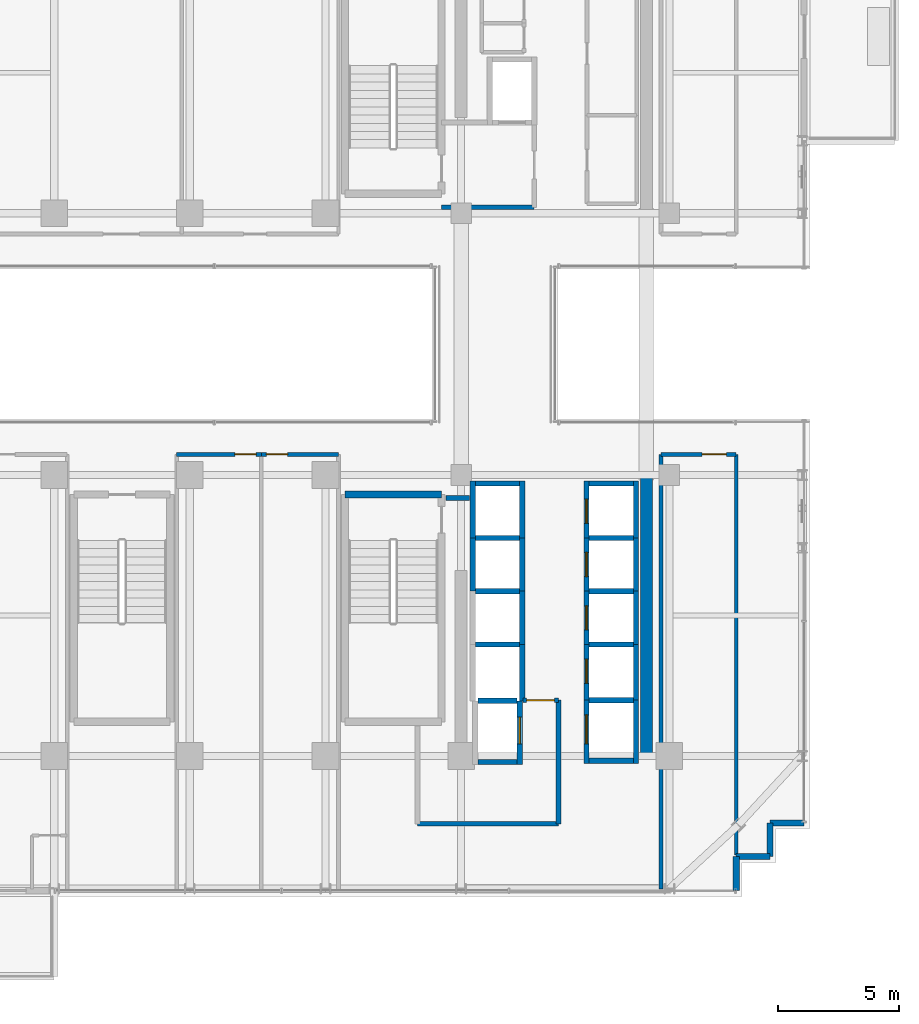
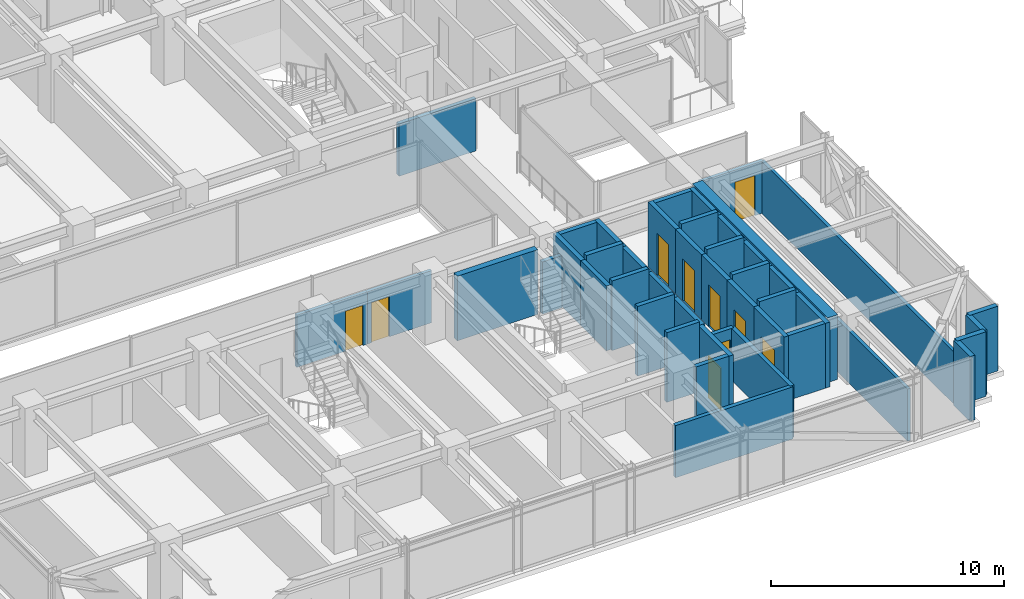
# One storey, part 32 of 38: 45 walls, 10 doors, 10 openings.
"""IFC4 building model written with IfcOpenShell, lengths in metres."""

from ifc_helpers import new_model, si_unit, direction, frame, frame_2d, origin, place, context, subcontext, project, spatial, rectangle, extrude, source, transform, mapped, material, layer, layer_set, type_object, element, fill, save


model = new_model("IFC4")

# Units and contexts
model_context = context("Model", 3, precision=1e-05, world=origin(), true_north=direction((0.0, 1.0)))
body_context = subcontext(model_context, "Body", "Model", "MODEL_VIEW")
ifc_project = project(units=[si_unit("LENGTHUNIT", "METRE"), si_unit("AREAUNIT", "SQUARE_METRE"), si_unit("VOLUMEUNIT", "CUBIC_METRE"), si_unit("PLANEANGLEUNIT", "RADIAN"), si_unit("MASSUNIT", "GRAM", prefix="KILO")], contexts=[model_context])

# Site, building, storey
site_placement = place(None, origin())
site = spatial("IfcSite", under=ifc_project, at=site_placement, CompositionType="ELEMENT")
building_placement = place(site_placement, origin())
building = spatial("IfcBuilding", under=site, at=building_placement, Name="Nahalor Promenade Grand Hotel", CompositionType="ELEMENT")
storey_placement = place(building_placement, frame((0.0, 0.0, 178.199951171875)))
storey = spatial("IfcBuildingStorey", under=building, at=storey_placement, Name="L45", CompositionType="ELEMENT", Elevation=178.199951171875)

# Walls
ifc_material_1 = material(Name="Concrete B-60 (C50/60)", Category="concrete")
ifc_layer_1 = layer(ifc_material_1, 0.5)
ifc_layer_set_1 = layer_set([ifc_layer_1], Name="Concrete B-60 (C50/60)")
wall_type_1 = type_object("IfcWallType", Name="Wall-CoreShear-500", PredefinedType="SHEAR", material=ifc_layer_set_1)
shared_shape_1 = source(origin(), body_context, "Body", "SweptSolid", [
    extrude(rectangle(XDim=11.60009765625, YDim=0.5, at=frame_2d((5.800048828125, 0.0))), origin(), (0.0, 0.0, 1.0), 3.39013671875),
])
wall_1_placement = place(storey_placement, frame((16.050048828125, -17.0, 0.0), z_axis=(0.0, 0.0, 1.0), x_axis=(0.0, 1.0, 0.0)))
element("IfcWall", 1, at=wall_1_placement, inside=storey, type_object=wall_type_1, Name="CWALL-L45-SE", PredefinedType="SHEAR", context=body_context, shape_type="MappedRepresentation", body=[
    mapped(shared_shape_1, transform((0.0, 0.0, 0.0), scale=1.0)),
])
ifc_material_2 = material(Name="Concrete B-50 (C40/50)", Category="concrete")
ifc_layer_2 = layer(ifc_material_2, 0.300048828125)
ifc_layer_set_2 = layer_set([ifc_layer_2], Name="Concrete B-50 (C40/50)")
wall_type_2 = type_object("IfcWallType", Name="Wall-ShaftShear-300", PredefinedType="SHEAR", material=ifc_layer_set_2)
shared_shape_2 = source(origin(), body_context, "Body", "SweptSolid", [
    extrude(rectangle(XDim=3.97998046875, YDim=0.300048828125, at=frame_2d((1.989990234375, 0.0))), origin(), (0.0, 0.0, 1.0), 3.39013671875),
])
wall_2_placement = place(storey_placement, frame((3.610107421875, -6.2099609375, 0.0), z_axis=(0.0, 0.0, 1.0), x_axis=(1.0, 0.0, 0.0)))
element("IfcWall", 2, at=wall_2_placement, inside=storey, type_object=wall_type_2, Name="L45 Exit Stair ST2 Shaft Wall N", PredefinedType="SHEAR", context=body_context, shape_type="MappedRepresentation", body=[
    mapped(shared_shape_2, transform((0.0, 0.0, 0.0), scale=1.0)),
])
ifc_layer_3 = layer(ifc_material_2, 0.219970703125)
ifc_layer_set_3 = layer_set([ifc_layer_3], Name="Concrete B-50 (C40/50)")
wall_type_3 = type_object("IfcWallType", Name="Wall-LiftShaft-220", PredefinedType="SHEAR", material=ifc_layer_set_3)
shared_shape_3 = source(origin(), body_context, "Body", "SweptSolid", [
    extrude(rectangle(XDim=1.820068359375, YDim=0.219970703125, at=frame_2d((0.91015625, 0.0))), origin(), (0.0, 0.0, 1.0), 3.650146484375),
])
for number, where, z_axis, x_axis, name in (
    (3, (13.68994140625, -8.0, 0.0), (0.0, 0.0, 1.0), (1.0, 0.0, 0.0), "L45 Lift PL6 Hoistway Wall N"),
    (4, (13.68994140625, -10.199951171875, 0.0), (0.0, 0.0, 1.0), (1.0, 0.0, 0.0), "L45 Lift PL7 Hoistway Wall N"),
    (5, (13.68994140625, -12.39990234375, 0.0), (0.0, 0.0, 1.0), (1.0, 0.0, 0.0), "L45 Lift PL8 Hoistway Wall N"),
    (6, (8.989990234375, -8.0, 0.0), (0.0, 0.0, 1.0), (1.0, 0.0, 0.0), "L45 Lift PL10 Hoistway Wall N"),
    (7, (8.989990234375, -10.199951171875, 0.0), (0.0, 0.0, 1.0), (1.0, 0.0, 0.0), "L45 Lift PL11 Hoistway Wall N"),
    (8, (8.989990234375, -12.39990234375, 0.0), (0.0, 0.0, 1.0), (1.0, 0.0, 0.0), "L45 Lift PL12 Hoistway Wall N"),
    (9, (13.68994140625, -14.699951171875, 0.0), (0.0, 0.0, 1.0), (1.0, 0.0, 0.0), "L45 Lift SV2 Hoistway Wall N"),
):
    element("IfcWall", number, at=place(storey_placement, frame(where, z_axis=z_axis, x_axis=x_axis)), inside=storey, type_object=wall_type_3, Name=name, PredefinedType="SHEAR", context=body_context, shape_type="MappedRepresentation", body=[
        mapped(shared_shape_3, transform((0.0, 0.0, 0.0), scale=1.0)),
    ])

# Wall, opening, door
shared_shape_4 = source(origin(), body_context, "Body", "SweptSolid", [
    extrude(rectangle(XDim=2.360107421875, YDim=0.219970703125, at=frame_2d((1.18017578125, 0.0))), origin(), (0.0, 0.0, 1.0), 3.39013671875),
])
wall_3_placement = place(storey_placement, frame((13.580078125, -8.0, 0.0), z_axis=(0.0, 0.0, 1.0), x_axis=(0.0, 1.0, 0.0)))
wall_3 = element("IfcWall", 10, at=wall_3_placement, inside=storey, type_object=wall_type_3, Name="L45 Lift PL5 Hoistway Wall W", PredefinedType="SHEAR", context=body_context, shape_type="MappedRepresentation", body=[
    mapped(shared_shape_4, transform((0.0, 0.0, 0.0), scale=1.0)),
])
opening_1_placement = place(wall_3_placement, frame((0.60009765625, 0.0, 0.0)))
opening_1 = element("IfcOpeningElement", 11, at=opening_1_placement, cuts=wall_3, Name="Opening LD-01", PredefinedType="OPENING", context=body_context, shape_type="SweptSolid", body=[
    extrude(rectangle(XDim=1.0, YDim=2.199951171875, at=frame_2d((0.5, 1.10009765625))), frame((0.0, 0.119873046875, 0.0), z_axis=(0.0, -1.0, 0.0), x_axis=(1.0, 0.0, 0.0)), (0.0, 0.0, 1.0), 0.239990234375),
])
ifc_material_3 = material(Name="Steel S355JR", Category="steel")
door_type_1 = type_object("IfcDoorType", Name="Door-LiftLanding-1000", OperationType="DOUBLE_DOOR_SLIDING", PredefinedType="DOOR", material=ifc_material_3)
shared_shape_5 = source(origin(), body_context, "Body", "SweptSolid", [
    extrude(rectangle(XDim=1.0, YDim=2.199951171875, at=frame_2d((0.5, 1.10009765625))), frame((0.0, 0.02490234375, 0.0), z_axis=(0.0, -1.0, 0.0), x_axis=(1.0, 0.0, 0.0)), (0.0, 0.0, 1.0), 0.050048828125),
])
door_1_placement = place(opening_1_placement, origin())
door_1 = element("IfcDoor", 12, at=door_1_placement, inside=storey, type_object=door_type_1, Name="DR-LIFT-PL5-L45", OperationType="DOUBLE_DOOR_SLIDING", OverallHeight=2.199951171875, OverallWidth=1.0, PredefinedType="DOOR", context=body_context, shape_type="MappedRepresentation", body=[
    mapped(shared_shape_5, transform((0.0, 0.0, 0.0), scale=1.0)),
])
fill(opening_1, door_1)

# Walls
for number, where, z_axis, x_axis, name in (
    (13, (15.6201171875, -8.0, 0.0), (0.0, 0.0, 1.0), (0.0, 1.0, 0.0), "L45 Lift PL5 Hoistway Wall E"),
    (14, (8.8798828125, -8.0, 0.0), (0.0, 0.0, 1.0), (0.0, 1.0, 0.0), "L45 Lift PL9 Hoistway Wall W"),
    (15, (10.919921875, -8.0, 0.0), (0.0, 0.0, 1.0), (0.0, 1.0, 0.0), "L45 Lift PL9 Hoistway Wall E"),
):
    element("IfcWall", number, at=place(storey_placement, frame(where, z_axis=z_axis, x_axis=x_axis)), inside=storey, type_object=wall_type_3, Name=name, PredefinedType="SHEAR", context=body_context, shape_type="MappedRepresentation", body=[
        mapped(shared_shape_4, transform((0.0, 0.0, 0.0), scale=1.0)),
    ])
shared_shape_6 = source(origin(), body_context, "Body", "SweptSolid", [
    extrude(rectangle(XDim=1.820068359375, YDim=0.219970703125, at=frame_2d((0.91015625, 0.0))), origin(), (0.0, 0.0, 1.0), 3.39013671875),
])
for number, where, z_axis, x_axis, name in (
    (16, (13.68994140625, -5.75, 0.0), (0.0, 0.0, 1.0), (1.0, 0.0, 0.0), "L45 Lift PL5 Hoistway Wall N"),
    (17, (8.989990234375, -5.75, 0.0), (0.0, 0.0, 1.0), (1.0, 0.0, 0.0), "L45 Lift PL9 Hoistway Wall N"),
    (18, (13.68994140625, -17.199951171875, 0.0), (0.0, 0.0, 1.0), (1.0, 0.0, 0.0), "L45 Lift SV2 Hoistway Wall S"),
):
    element("IfcWall", number, at=place(storey_placement, frame(where, z_axis=z_axis, x_axis=x_axis)), inside=storey, type_object=wall_type_3, Name=name, PredefinedType="SHEAR", context=body_context, shape_type="MappedRepresentation", body=[
        mapped(shared_shape_6, transform((0.0, 0.0, 0.0), scale=1.0)),
    ])

# Wall, opening, door
shared_shape_7 = source(origin(), body_context, "Body", "SweptSolid", [
    extrude(rectangle(XDim=2.199951171875, YDim=0.219970703125, at=frame_2d((1.10009765625, 0.0))), origin(), (0.0, 0.0, 1.0), 3.39013671875),
])
wall_4_placement = place(storey_placement, frame((13.580078125, -10.199951171875, 0.0), z_axis=(0.0, 0.0, 1.0), x_axis=(0.0, 1.0, 0.0)))
wall_4 = element("IfcWall", 19, at=wall_4_placement, inside=storey, type_object=wall_type_3, Name="L45 Lift PL6 Hoistway Wall W", PredefinedType="SHEAR", context=body_context, shape_type="MappedRepresentation", body=[
    mapped(shared_shape_7, transform((0.0, 0.0, 0.0), scale=1.0)),
])
opening_2_placement = place(wall_4_placement, frame((0.60009765625, 0.0, 0.0)))
opening_2 = element("IfcOpeningElement", 20, at=opening_2_placement, cuts=wall_4, Name="Opening LD-01", PredefinedType="OPENING", context=body_context, shape_type="SweptSolid", body=[
    extrude(rectangle(XDim=1.0, YDim=2.199951171875, at=frame_2d((0.5, 1.10009765625))), frame((0.0, 0.119873046875, 0.0), z_axis=(0.0, -1.0, 0.0), x_axis=(1.0, 0.0, 0.0)), (0.0, 0.0, 1.0), 0.239990234375),
])
door_2_placement = place(opening_2_placement, origin())
door_2 = element("IfcDoor", 21, at=door_2_placement, inside=storey, type_object=door_type_1, Name="DR-LIFT-PL6-L45", OperationType="DOUBLE_DOOR_SLIDING", OverallHeight=2.199951171875, OverallWidth=1.0, PredefinedType="DOOR", context=body_context, shape_type="MappedRepresentation", body=[
    mapped(shared_shape_5, transform((0.0, 0.0, 0.0), scale=1.0)),
])
fill(opening_2, door_2)

# Wall
wall_5_placement = place(storey_placement, frame((15.6201171875, -10.199951171875, 0.0), z_axis=(0.0, 0.0, 1.0), x_axis=(0.0, 1.0, 0.0)))
element("IfcWall", 22, at=wall_5_placement, inside=storey, type_object=wall_type_3, Name="L45 Lift PL6 Hoistway Wall E", PredefinedType="SHEAR", context=body_context, shape_type="MappedRepresentation", body=[
    mapped(shared_shape_7, transform((0.0, 0.0, 0.0), scale=1.0)),
])

# Wall, opening, door
wall_6_placement = place(storey_placement, frame((13.580078125, -12.39990234375, 0.0), z_axis=(0.0, 0.0, 1.0), x_axis=(0.0, 1.0, 0.0)))
wall_6 = element("IfcWall", 23, at=wall_6_placement, inside=storey, type_object=wall_type_3, Name="L45 Lift PL7 Hoistway Wall W", PredefinedType="SHEAR", context=body_context, shape_type="MappedRepresentation", body=[
    mapped(shared_shape_7, transform((0.0, 0.0, 0.0), scale=1.0)),
])
opening_3_placement = place(wall_6_placement, frame((0.60009765625, 0.0, 0.0)))
opening_3 = element("IfcOpeningElement", 24, at=opening_3_placement, cuts=wall_6, Name="Opening LD-01", PredefinedType="OPENING", context=body_context, shape_type="SweptSolid", body=[
    extrude(rectangle(XDim=1.0, YDim=2.199951171875, at=frame_2d((0.5, 1.10009765625))), frame((0.0, 0.119873046875, 0.0), z_axis=(0.0, -1.0, 0.0), x_axis=(1.0, 0.0, 0.0)), (0.0, 0.0, 1.0), 0.239990234375),
])
door_3_placement = place(opening_3_placement, origin())
door_3 = element("IfcDoor", 25, at=door_3_placement, inside=storey, type_object=door_type_1, Name="DR-LIFT-PL7-L45", OperationType="DOUBLE_DOOR_SLIDING", OverallHeight=2.199951171875, OverallWidth=1.0, PredefinedType="DOOR", context=body_context, shape_type="MappedRepresentation", body=[
    mapped(shared_shape_5, transform((0.0, 0.0, 0.0), scale=1.0)),
])
fill(opening_3, door_3)

# Walls
for number, where, z_axis, x_axis, name in (
    (26, (15.6201171875, -12.39990234375, 0.0), (0.0, 0.0, 1.0), (0.0, 1.0, 0.0), "L45 Lift PL7 Hoistway Wall E"),
    (27, (8.8798828125, -10.199951171875, 0.0), (0.0, 0.0, 1.0), (0.0, 1.0, 0.0), "L45 Lift PL10 Hoistway Wall W"),
    (28, (10.919921875, -10.199951171875, 0.0), (0.0, 0.0, 1.0), (0.0, 1.0, 0.0), "L45 Lift PL10 Hoistway Wall E"),
    (29, (10.919921875, -12.39990234375, 0.0), (0.0, 0.0, 1.0), (0.0, 1.0, 0.0), "L45 Lift PL11 Hoistway Wall E"),
):
    element("IfcWall", number, at=place(storey_placement, frame(where, z_axis=z_axis, x_axis=x_axis)), inside=storey, type_object=wall_type_3, Name=name, PredefinedType="SHEAR", context=body_context, shape_type="MappedRepresentation", body=[
        mapped(shared_shape_7, transform((0.0, 0.0, 0.0), scale=1.0)),
    ])

# Wall, opening, door
shared_shape_8 = source(origin(), body_context, "Body", "SweptSolid", [
    extrude(rectangle(XDim=2.300048828125, YDim=0.219970703125, at=frame_2d((1.14990234375, 0.0))), origin(), (0.0, 0.0, 1.0), 3.39013671875),
])
wall_7_placement = place(storey_placement, frame((13.580078125, -14.699951171875, 0.0), z_axis=(0.0, 0.0, 1.0), x_axis=(0.0, 1.0, 0.0)))
wall_7 = element("IfcWall", 30, at=wall_7_placement, inside=storey, type_object=wall_type_3, Name="L45 Lift PL8 Hoistway Wall W", PredefinedType="SHEAR", context=body_context, shape_type="MappedRepresentation", body=[
    mapped(shared_shape_8, transform((0.0, 0.0, 0.0), scale=1.0)),
])
opening_4_placement = place(wall_7_placement, frame((0.699951171875, 0.0, 0.0)))
opening_4 = element("IfcOpeningElement", 31, at=opening_4_placement, cuts=wall_7, Name="Opening LD-01", PredefinedType="OPENING", context=body_context, shape_type="SweptSolid", body=[
    extrude(rectangle(XDim=1.0, YDim=2.199951171875, at=frame_2d((0.5, 1.10009765625))), frame((0.0, 0.119873046875, 0.0), z_axis=(0.0, -1.0, 0.0), x_axis=(1.0, 0.0, 0.0)), (0.0, 0.0, 1.0), 0.239990234375),
])
door_4_placement = place(opening_4_placement, origin())
door_4 = element("IfcDoor", 32, at=door_4_placement, inside=storey, type_object=door_type_1, Name="DR-LIFT-PL8-L45", OperationType="DOUBLE_DOOR_SLIDING", OverallHeight=2.199951171875, OverallWidth=1.0, PredefinedType="DOOR", context=body_context, shape_type="MappedRepresentation", body=[
    mapped(shared_shape_5, transform((0.0, 0.0, 0.0), scale=1.0)),
])
fill(opening_4, door_4)

# Walls
wall_8_placement = place(storey_placement, frame((15.6201171875, -14.699951171875, 0.0), z_axis=(0.0, 0.0, 1.0), x_axis=(0.0, 1.0, 0.0)))
element("IfcWall", 33, at=wall_8_placement, inside=storey, type_object=wall_type_3, Name="L45 Lift PL8 Hoistway Wall E", PredefinedType="SHEAR", context=body_context, shape_type="MappedRepresentation", body=[
    mapped(shared_shape_8, transform((0.0, 0.0, 0.0), scale=1.0)),
])
shared_shape_9 = source(origin(), body_context, "Body", "SweptSolid", [
    extrude(rectangle(XDim=2.3251953125, YDim=0.219970703125, at=frame_2d((1.16259765625, 0.0))), origin(), (0.0, 0.0, 1.0), 3.39013671875),
])
wall_9_placement = place(storey_placement, frame((10.919921875, -14.72509765625, 0.0), z_axis=(0.0, 0.0, 1.0), x_axis=(0.0, 1.0, 0.0)))
element("IfcWall", 34, at=wall_9_placement, inside=storey, type_object=wall_type_3, Name="L45 Lift PL12 Hoistway Wall E", PredefinedType="SHEAR", context=body_context, shape_type="MappedRepresentation", body=[
    mapped(shared_shape_9, transform((0.0, 0.0, 0.0), scale=1.0)),
])
shared_shape_10 = source(origin(), body_context, "Body", "SweptSolid", [
    extrude(rectangle(XDim=1.619873046875, YDim=0.219970703125, at=frame_2d((0.81005859375, 0.0))), origin(), (0.0, 0.0, 1.0), 3.650146484375),
])
wall_10_placement = place(storey_placement, frame((9.090087890625, -14.72509765625, 0.0), z_axis=(0.0, 0.0, 1.0), x_axis=(1.0, 0.0, 0.0)))
element("IfcWall", 35, at=wall_10_placement, inside=storey, type_object=wall_type_3, Name="L45 Lift FL2 Hoistway Wall N", PredefinedType="SHEAR", context=body_context, shape_type="MappedRepresentation", body=[
    mapped(shared_shape_10, transform((0.0, 0.0, 0.0), scale=1.0)),
])

# Wall, opening, door
shared_shape_11 = source(origin(), body_context, "Body", "SweptSolid", [
    extrude(rectangle(XDim=2.635009765625, YDim=0.219970703125, at=frame_2d((1.3173828125, 0.0))), origin(), (0.0, 0.0, 1.0), 3.39013671875),
])
wall_11_placement = place(storey_placement, frame((10.820068359375, -17.360107421875, 0.0), z_axis=(0.0, 0.0, 1.0), x_axis=(0.0, 1.0, 0.0)))
wall_11 = element("IfcWall", 36, at=wall_11_placement, inside=storey, type_object=wall_type_3, Name="L45 Lift FL2 Hoistway Wall E", PredefinedType="SHEAR", context=body_context, shape_type="MappedRepresentation", body=[
    mapped(shared_shape_11, transform((0.0, 0.0, 0.0), scale=1.0)),
])
opening_5_placement = place(wall_11_placement, frame((0.860107421875, 0.0, 0.0)))
opening_5 = element("IfcOpeningElement", 37, at=opening_5_placement, cuts=wall_11, Name="Opening LD-02", PredefinedType="OPENING", context=body_context, shape_type="SweptSolid", body=[
    extrude(rectangle(XDim=1.10009765625, YDim=2.199951171875, at=frame_2d((0.550048828125, 1.10009765625))), frame((0.0, 0.119873046875, 0.0), z_axis=(0.0, -1.0, 0.0), x_axis=(1.0, 0.0, 0.0)), (0.0, 0.0, 1.0), 0.239990234375),
])
door_type_2 = type_object("IfcDoorType", Name="Door-LiftFF-1100", OperationType="DOUBLE_DOOR_SLIDING", PredefinedType="DOOR", material=ifc_material_3)
shared_shape_12 = source(origin(), body_context, "Body", "SweptSolid", [
    extrude(rectangle(XDim=1.10009765625, YDim=2.199951171875, at=frame_2d((0.550048828125, 1.10009765625))), frame((0.0, 0.02490234375, 0.0), z_axis=(0.0, -1.0, 0.0), x_axis=(1.0, 0.0, 0.0)), (0.0, 0.0, 1.0), 0.050048828125),
])
door_5_placement = place(opening_5_placement, frame((1.10009765625, 0.0, 0.0), z_axis=(0.0, 0.0, 1.0), x_axis=(-1.0, 0.0, 0.0)))
door_5 = element("IfcDoor", 38, at=door_5_placement, inside=storey, type_object=door_type_2, Name="DR-LIFT-FL2-L45", OperationType="DOUBLE_DOOR_SLIDING", OverallHeight=2.199951171875, OverallWidth=1.10009765625, PredefinedType="DOOR", context=body_context, shape_type="MappedRepresentation", body=[
    mapped(shared_shape_12, transform((0.0, 0.0, 0.0), scale=1.0)),
])
fill(opening_5, door_5)

# Wall
shared_shape_13 = source(origin(), body_context, "Body", "SweptSolid", [
    extrude(rectangle(XDim=1.619873046875, YDim=0.219970703125, at=frame_2d((0.81005859375, 0.0))), origin(), (0.0, 0.0, 1.0), 3.39013671875),
])
wall_12_placement = place(storey_placement, frame((9.090087890625, -17.25, 0.0), z_axis=(0.0, 0.0, 1.0), x_axis=(1.0, 0.0, 0.0)))
element("IfcWall", 39, at=wall_12_placement, inside=storey, type_object=wall_type_3, Name="L45 Lift FL2 Hoistway Wall S", PredefinedType="SHEAR", context=body_context, shape_type="MappedRepresentation", body=[
    mapped(shared_shape_13, transform((0.0, 0.0, 0.0), scale=1.0)),
])

# Wall, opening, door
shared_shape_14 = source(origin(), body_context, "Body", "SweptSolid", [
    extrude(rectangle(XDim=2.610107421875, YDim=0.219970703125, at=frame_2d((1.30517578125, 0.0))), origin(), (0.0, 0.0, 1.0), 3.39013671875),
])
wall_13_placement = place(storey_placement, frame((13.580078125, -17.31005859375, 0.0), z_axis=(0.0, 0.0, 1.0), x_axis=(0.0, 1.0, 0.0)))
wall_13 = element("IfcWall", 40, at=wall_13_placement, inside=storey, type_object=wall_type_3, Name="L45 Lift SV2 Hoistway Wall W", PredefinedType="SHEAR", context=body_context, shape_type="MappedRepresentation", body=[
    mapped(shared_shape_14, transform((0.0, 0.0, 0.0), scale=1.0)),
])
opening_6_placement = place(wall_13_placement, frame((0.81005859375, 0.0, 0.0)))
opening_6 = element("IfcOpeningElement", 41, at=opening_6_placement, cuts=wall_13, Name="Opening LD-03", PredefinedType="OPENING", context=body_context, shape_type="SweptSolid", body=[
    extrude(rectangle(XDim=1.199951171875, YDim=2.199951171875, at=frame_2d((0.60009765625, 1.10009765625))), frame((0.0, 0.119873046875, 0.0), z_axis=(0.0, -1.0, 0.0), x_axis=(1.0, 0.0, 0.0)), (0.0, 0.0, 1.0), 0.239990234375),
])
door_type_3 = type_object("IfcDoorType", Name="Door-LiftService-1200", OperationType="DOUBLE_DOOR_SLIDING", PredefinedType="DOOR", material=ifc_material_3)
shared_shape_15 = source(origin(), body_context, "Body", "SweptSolid", [
    extrude(rectangle(XDim=1.199951171875, YDim=2.199951171875, at=frame_2d((0.60009765625, 1.10009765625))), frame((0.0, 0.02490234375, 0.0), z_axis=(0.0, -1.0, 0.0), x_axis=(1.0, 0.0, 0.0)), (0.0, 0.0, 1.0), 0.050048828125),
])
door_6_placement = place(opening_6_placement, origin())
door_6 = element("IfcDoor", 42, at=door_6_placement, inside=storey, type_object=door_type_3, Name="DR-LIFT-SV2-L45", OperationType="DOUBLE_DOOR_SLIDING", OverallHeight=2.199951171875, OverallWidth=1.199951171875, PredefinedType="DOOR", context=body_context, shape_type="MappedRepresentation", body=[
    mapped(shared_shape_15, transform((0.0, 0.0, 0.0), scale=1.0)),
])
fill(opening_6, door_6)

# Walls
wall_14_placement = place(storey_placement, frame((15.6201171875, -17.31005859375, 0.0), z_axis=(0.0, 0.0, 1.0), x_axis=(0.0, 1.0, 0.0)))
element("IfcWall", 43, at=wall_14_placement, inside=storey, type_object=wall_type_3, Name="L45 Lift SV2 Hoistway Wall E", PredefinedType="SHEAR", context=body_context, shape_type="MappedRepresentation", body=[
    mapped(shared_shape_14, transform((0.0, 0.0, 0.0), scale=1.0)),
])
ifc_material_4 = material(Name="Concrete B-40 (C32/40)", Category="concrete")
ifc_layer_4 = layer(ifc_material_4, 0.25)
ifc_layer_set_4 = layer_set([ifc_layer_4], Name="Concrete B-40 (C32/40)")
wall_type_4 = type_object("IfcWallType", Name="Wall-BronzePier-250", PredefinedType="STANDARD", material=ifc_layer_set_4)
shared_shape_16 = source(origin(), body_context, "Body", "SweptSolid", [
    extrude(rectangle(XDim=1.400146484375, YDim=0.25, at=frame_2d((0.7001953125, 0.0))), origin(), (0.0, 0.0, 1.0), 3.39013671875),
])
for number, where, z_axis, x_axis, name in (
    (44, (19.760009765625, -22.56005859375, 0.0), (0.0, 0.0, 1.0), (0.0, 1.0, 0.0), "W-L45-SR-01"),
    (45, (21.159912109375, -19.760009765625, 0.0), (0.0, 0.0, 1.0), (1.0, 0.0, 0.0), "W-L45-SR-04"),
):
    element("IfcWall", number, at=place(storey_placement, frame(where, z_axis=z_axis, x_axis=x_axis)), inside=storey, type_object=wall_type_4, Name=name, PredefinedType="STANDARD", context=body_context, shape_type="MappedRepresentation", body=[
        mapped(shared_shape_16, transform((0.0, 0.0, 0.0), scale=1.0)),
    ])
shared_shape_17 = source(origin(), body_context, "Body", "SweptSolid", [
    extrude(rectangle(XDim=1.39990234375, YDim=0.25, at=frame_2d((0.699951171875, 0.0))), origin(), (0.0, 0.0, 1.0), 3.39013671875),
])
for number, where, z_axis, x_axis, name in (
    (46, (19.760009765625, -21.159912109375, 0.0), (0.0, 0.0, 1.0), (1.0, 0.0, 0.0), "W-L45-SR-02"),
    (47, (21.159912109375, -21.159912109375, 0.0), (0.0, 0.0, 1.0), (0.0, 1.0, 0.0), "W-L45-SR-03"),
):
    element("IfcWall", number, at=place(storey_placement, frame(where, z_axis=z_axis, x_axis=x_axis)), inside=storey, type_object=wall_type_4, Name=name, PredefinedType="STANDARD", context=body_context, shape_type="MappedRepresentation", body=[
        mapped(shared_shape_17, transform((0.0, 0.0, 0.0), scale=1.0)),
    ])
ifc_layer_5 = layer(ifc_material_4, 0.199951171875)
ifc_layer_set_5 = layer_set([ifc_layer_5], Name="Concrete B-40 (C32/40)")
wall_type_5 = type_object("IfcWallType", Name="Wall-PartFire-200", PredefinedType="PARTITIONING", material=ifc_layer_set_5)
shared_shape_18 = source(origin(), body_context, "Body", "SweptSolid", [
    extrude(rectangle(XDim=3.81982421875, YDim=0.199951171875, at=frame_2d((1.909912109375, 0.0))), origin(), (0.0, 0.0, 1.0), 2.72998046875),
])
wall_15_placement = place(storey_placement, frame((7.60009765625, 5.64990234375, 0.0), z_axis=(0.0, 0.0, 1.0), x_axis=(1.0, 0.0, 0.0)))
element("IfcWall", 48, at=wall_15_placement, inside=storey, type_object=wall_type_5, Name="W-L45-FF1-S", PredefinedType="PARTITIONING", context=body_context, shape_type="MappedRepresentation", body=[
    mapped(shared_shape_18, transform((0.0, 0.0, 0.0), scale=1.0)),
])
shared_shape_19 = source(origin(), body_context, "Body", "SweptSolid", [
    extrude(rectangle(XDim=5.81982421875, YDim=0.199951171875, at=frame_2d((2.909912109375, 0.0))), origin(), (0.0, 0.0, 1.0), 2.72998046875),
])
wall_16_placement = place(storey_placement, frame((6.60009765625, -19.800048828125, 0.0), z_axis=(0.0, 0.0, 1.0), x_axis=(1.0, 0.0, 0.0)))
element("IfcWall", 49, at=wall_16_placement, inside=storey, type_object=wall_type_5, Name="W-L45-FF2-S1", PredefinedType="PARTITIONING", context=body_context, shape_type="MappedRepresentation", body=[
    mapped(shared_shape_19, transform((0.0, 0.0, 0.0), scale=1.0)),
])
shared_shape_20 = source(origin(), body_context, "Body", "SweptSolid", [
    extrude(rectangle(XDim=5.10009765625, YDim=0.199951171875, at=frame_2d((2.550048828125, 0.0))), origin(), (0.0, 0.0, 1.0), 2.72998046875),
])
wall_17_placement = place(storey_placement, frame((12.419921875, -19.800048828125, 0.0), z_axis=(0.0, 0.0, 1.0), x_axis=(0.0, 1.0, 0.0)))
element("IfcWall", 50, at=wall_17_placement, inside=storey, type_object=wall_type_5, Name="W-L45-FF2-E", PredefinedType="PARTITIONING", context=body_context, shape_type="MappedRepresentation", body=[
    mapped(shared_shape_20, transform((0.0, 0.0, 0.0), scale=1.0)),
])

# Wall, opening, door
shared_shape_21 = source(origin(), body_context, "Body", "SweptSolid", [
    extrude(rectangle(XDim=1.4599609375, YDim=0.199951171875, at=frame_2d((0.72998046875, 0.0))), origin(), (0.0, 0.0, 1.0), 2.72998046875),
])
wall_18_placement = place(storey_placement, frame((10.9599609375, -14.699951171875, 0.0), z_axis=(0.0, 0.0, 1.0), x_axis=(1.0, 0.0, 0.0)))
wall_18 = element("IfcWall", 51, at=wall_18_placement, inside=storey, type_object=wall_type_5, Name="W-L45-FF2-N1", PredefinedType="PARTITIONING", context=body_context, shape_type="MappedRepresentation", body=[
    mapped(shared_shape_21, transform((0.0, 0.0, 0.0), scale=1.0)),
])
opening_7_placement = place(wall_18_placement, frame((0.14501953125, 0.0, 0.0)))
opening_7 = element("IfcOpeningElement", 52, at=opening_7_placement, cuts=wall_18, Name="Opening D-FF1", PredefinedType="OPENING", context=body_context, shape_type="SweptSolid", body=[
    extrude(rectangle(XDim=1.14990234375, YDim=2.14990234375, at=frame_2d((0.574951171875, 1.074951171875))), frame((0.0, 0.10986328125, 0.0), z_axis=(0.0, -1.0, 0.0), x_axis=(1.0, 0.0, 0.0)), (0.0, 0.0, 1.0), 0.219970703125),
])
door_type_4 = type_object("IfcDoorType", Name="Door-FFLobby-1150", OperationType="NOTDEFINED", PredefinedType="DOOR", material=ifc_material_3)
shared_shape_22 = source(origin(), body_context, "Body", "SweptSolid", [
    extrude(rectangle(XDim=1.14990234375, YDim=2.14990234375, at=frame_2d((0.574951171875, 1.074951171875))), frame((0.0, 0.02490234375, 0.0), z_axis=(0.0, -1.0, 0.0), x_axis=(1.0, 0.0, 0.0)), (0.0, 0.0, 1.0), 0.050048828125),
])
door_7_placement = place(opening_7_placement, origin())
door_7 = element("IfcDoor", 53, at=door_7_placement, inside=storey, type_object=door_type_4, Name="DR-L45-FFL2", OperationType="SINGLE_SWING_RIGHT", OverallHeight=2.14990234375, OverallWidth=1.14990234375, PredefinedType="DOOR", context=body_context, shape_type="MappedRepresentation", body=[
    mapped(shared_shape_22, transform((0.0, 0.0, 0.0), scale=1.0)),
])
fill(opening_7, door_7)

# Wall
shared_shape_23 = source(origin(), body_context, "Body", "SweptSolid", [
    extrude(rectangle(XDim=0.969970703125, YDim=0.199951171875, at=frame_2d((0.48486328125, 0.0))), origin(), (0.0, 0.0, 1.0), 2.72998046875),
])
wall_19_placement = place(storey_placement, frame((7.77001953125, -6.35009765625, 0.0), z_axis=(0.0, 0.0, 1.0), x_axis=(1.0, 0.0, 0.0)))
element("IfcWall", 54, at=wall_19_placement, inside=storey, type_object=wall_type_5, Name="W-L45-FF2-N2", PredefinedType="PARTITIONING", context=body_context, shape_type="MappedRepresentation", body=[
    mapped(shared_shape_23, transform((0.0, 0.0, 0.0), scale=1.0)),
])

# Wall, opening, door
ifc_material_5 = material(Name="Acoustic Mineral Gypsum", Category="gypsum")
ifc_layer_6 = layer(ifc_material_5, 0.159912109375)
ifc_layer_set_6 = layer_set([ifc_layer_6], Name="Acoustic Mineral Gypsum")
wall_type_6 = type_object("IfcWallType", Name="Wall-PartCorridor-160", PredefinedType="PARTITIONING", material=ifc_layer_set_6)
shared_shape_24 = source(origin(), body_context, "Body", "SweptSolid", [
    extrude(rectangle(XDim=3.110107421875, YDim=0.159912109375, at=frame_2d((1.55517578125, 0.0))), origin(), (0.0, 0.0, 1.0), 2.72998046875),
])
wall_20_placement = place(storey_placement, frame((16.64990234375, -4.550048828125, 0.0), z_axis=(0.0, 0.0, 1.0), x_axis=(1.0, 0.0, 0.0)))
wall_20 = element("IfcWall", 55, at=wall_20_placement, inside=storey, type_object=wall_type_6, Name="W-L45-ESE-N", PredefinedType="PARTITIONING", context=body_context, shape_type="MappedRepresentation", body=[
    mapped(shared_shape_24, transform((0.0, 0.0, 0.0), scale=1.0)),
])
opening_8_placement = place(wall_20_placement, frame((1.700927734375, 0.0, 0.0)))
opening_8 = element("IfcOpeningElement", 56, at=opening_8_placement, cuts=wall_20, Name="Opening D-04", PredefinedType="OPENING", context=body_context, shape_type="SweptSolid", body=[
    extrude(rectangle(XDim=1.0, YDim=2.10009765625, at=frame_2d((0.5, 1.050048828125))), frame((0.0, 0.08984375, 0.0), z_axis=(0.0, -1.0, 0.0), x_axis=(1.0, 0.0, 0.0)), (0.0, 0.0, 1.0), 0.179931640625),
])
door_type_5 = type_object("IfcDoorType", Name="Door-ServiceFire-1000", OperationType="NOTDEFINED", PredefinedType="DOOR", material=ifc_material_3)
shared_shape_25 = source(origin(), body_context, "Body", "SweptSolid", [
    extrude(rectangle(XDim=1.0, YDim=2.10009765625, at=frame_2d((0.5, 1.050048828125))), frame((0.0, 0.02490234375, 0.0), z_axis=(0.0, -1.0, 0.0), x_axis=(1.0, 0.0, 0.0)), (0.0, 0.0, 1.0), 0.050048828125),
])
door_8_placement = place(opening_8_placement, frame((1.0, 0.0, 0.0), z_axis=(0.0, 0.0, 1.0), x_axis=(-1.0, 0.0, 0.0)))
door_8 = element("IfcDoor", 57, at=door_8_placement, inside=storey, type_object=door_type_5, Name="DR-L45-ESE", OperationType="SINGLE_SWING_LEFT", OverallHeight=2.10009765625, OverallWidth=1.0, PredefinedType="DOOR", context=body_context, shape_type="MappedRepresentation", body=[
    mapped(shared_shape_25, transform((0.0, 0.0, 0.0), scale=1.0)),
])
fill(opening_8, door_8)

# Walls
shared_shape_26 = source(origin(), body_context, "Body", "SweptSolid", [
    extrude(rectangle(XDim=17.949951171875, YDim=0.159912109375, at=frame_2d((8.97509765625, 0.0))), origin(), (0.0, 0.0, 1.0), 2.72998046875),
])
wall_21_placement = place(storey_placement, frame((16.64990234375, -22.5, 0.0), z_axis=(0.0, 0.0, 1.0), x_axis=(0.0, 1.0, 0.0)))
element("IfcWall", 58, at=wall_21_placement, inside=storey, type_object=wall_type_6, Name="W-L45-ESE-W", PredefinedType="PARTITIONING", context=body_context, shape_type="MappedRepresentation", body=[
    mapped(shared_shape_26, transform((0.0, 0.0, 0.0), scale=1.0)),
])
shared_shape_27 = source(origin(), body_context, "Body", "SweptSolid", [
    extrude(rectangle(XDim=16.530029296875, YDim=0.159912109375, at=frame_2d((8.26513671875, 0.0))), origin(), (0.0, 0.0, 1.0), 2.72998046875),
])
wall_22_placement = place(storey_placement, frame((19.760009765625, -21.080078125, 0.0), z_axis=(0.0, 0.0, 1.0), x_axis=(0.0, 1.0, 0.0)))
element("IfcWall", 59, at=wall_22_placement, inside=storey, type_object=wall_type_6, Name="W-L45-ESE-E", PredefinedType="PARTITIONING", context=body_context, shape_type="MappedRepresentation", body=[
    mapped(shared_shape_27, transform((0.0, 0.0, 0.0), scale=1.0)),
])

# Wall, opening, door
shared_shape_28 = source(origin(), body_context, "Body", "SweptSolid", [
    extrude(rectangle(XDim=3.489990234375, YDim=0.159912109375, at=frame_2d((1.7451171875, 0.0))), origin(), (0.0, 0.0, 1.0), 2.72998046875),
])
wall_23_placement = place(storey_placement, frame((-3.340087890625, -4.550048828125, 0.0), z_axis=(0.0, 0.0, 1.0), x_axis=(1.0, 0.0, 0.0)))
wall_23 = element("IfcWall", 60, at=wall_23_placement, inside=storey, type_object=wall_type_6, Name="W-L45-SCB1-N", PredefinedType="PARTITIONING", context=body_context, shape_type="MappedRepresentation", body=[
    mapped(shared_shape_28, transform((0.0, 0.0, 0.0), scale=1.0)),
])
opening_9_placement = place(wall_23_placement, frame((2.39990234375, 0.0, 0.0)))
opening_9 = element("IfcOpeningElement", 61, at=opening_9_placement, cuts=wall_23, Name="Opening D-03", PredefinedType="OPENING", context=body_context, shape_type="SweptSolid", body=[
    extrude(rectangle(XDim=0.8798828125, YDim=2.10009765625, at=frame_2d((0.43994140625, 1.050048828125))), frame((0.0, 0.08984375, 0.0), z_axis=(0.0, -1.0, 0.0), x_axis=(1.0, 0.0, 0.0)), (0.0, 0.0, 1.0), 0.179931640625),
])
ifc_material_6 = material(Name="Fire-Rated Timber Composite", Category="wood")
door_type_6 = type_object("IfcDoorType", Name="Door-BathSwing-880", OperationType="NOTDEFINED", PredefinedType="DOOR", material=ifc_material_6)
shared_shape_29 = source(origin(), body_context, "Body", "SweptSolid", [
    extrude(rectangle(XDim=0.8798828125, YDim=2.10009765625, at=frame_2d((0.43994140625, 1.050048828125))), frame((0.0, 0.02490234375, 0.0), z_axis=(0.0, -1.0, 0.0), x_axis=(1.0, 0.0, 0.0)), (0.0, 0.0, 1.0), 0.050048828125),
])
door_9_placement = place(opening_9_placement, frame((0.8798828125, 0.0, 0.0), z_axis=(0.0, 0.0, 1.0), x_axis=(-1.0, 0.0, 0.0)))
door_9 = element("IfcDoor", 62, at=door_9_placement, inside=storey, type_object=door_type_6, Name="DR-L45-SCB1", OperationType="SINGLE_SWING_LEFT", OverallHeight=2.10009765625, OverallWidth=0.8798828125, PredefinedType="DOOR", context=body_context, shape_type="MappedRepresentation", body=[
    mapped(shared_shape_29, transform((0.0, 0.0, 0.0), scale=1.0)),
])
fill(opening_9, door_9)

shared_shape_30 = source(origin(), body_context, "Body", "SweptSolid", [
    extrude(rectangle(XDim=3.190185546875, YDim=0.159912109375, at=frame_2d((1.59521484375, 0.0))), origin(), (0.0, 0.0, 1.0), 2.72998046875),
])
wall_24_placement = place(storey_placement, frame((0.14990234375, -4.550048828125, 0.0), z_axis=(0.0, 0.0, 1.0), x_axis=(1.0, 0.0, 0.0)))
wall_24 = element("IfcWall", 63, at=wall_24_placement, inside=storey, type_object=wall_type_6, Name="W-L45-SCB2-N", PredefinedType="PARTITIONING", context=body_context, shape_type="MappedRepresentation", body=[
    mapped(shared_shape_30, transform((0.0, 0.0, 0.0), scale=1.0)),
])
opening_10_placement = place(wall_24_placement, frame((0.2099609375, 0.0, 0.0)))
opening_10 = element("IfcOpeningElement", 64, at=opening_10_placement, cuts=wall_24, Name="Opening D-03", PredefinedType="OPENING", context=body_context, shape_type="SweptSolid", body=[
    extrude(rectangle(XDim=0.8798828125, YDim=2.10009765625, at=frame_2d((0.43994140625, 1.050048828125))), frame((0.0, 0.08984375, 0.0), z_axis=(0.0, -1.0, 0.0), x_axis=(1.0, 0.0, 0.0)), (0.0, 0.0, 1.0), 0.179931640625),
])
door_10_placement = place(opening_10_placement, frame((0.8798828125, 0.0, 0.0), z_axis=(0.0, 0.0, 1.0), x_axis=(-1.0, 0.0, 0.0)))
door_10 = element("IfcDoor", 65, at=door_10_placement, inside=storey, type_object=door_type_6, Name="DR-L45-SCB2", OperationType="SINGLE_SWING_RIGHT", OverallHeight=2.10009765625, OverallWidth=0.8798828125, PredefinedType="DOOR", context=body_context, shape_type="MappedRepresentation", body=[
    mapped(shared_shape_29, transform((0.0, 0.0, 0.0), scale=1.0)),
])
fill(opening_10, door_10)

save(model, "model.ifc")
